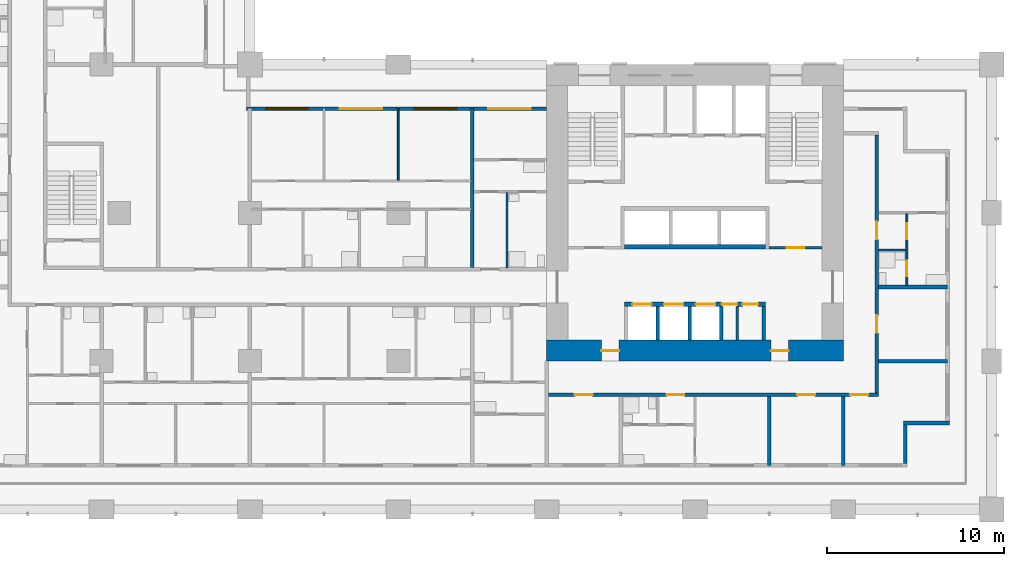
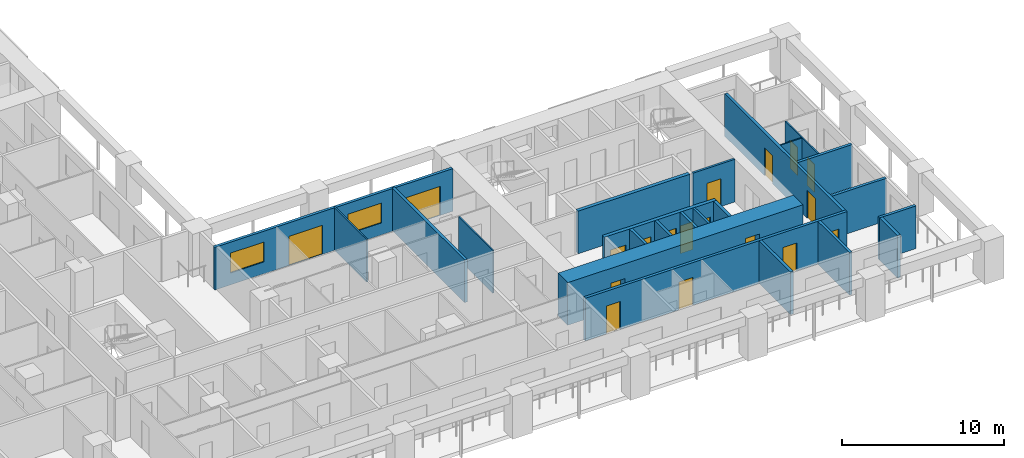
# One storey, part 6 of 19: 23 walls, 18 doors, 2 windows, 20 openings.
"""IFC4 building model written with IfcOpenShell, lengths in metres."""

from ifc_helpers import new_model, si_unit, direction, frame, frame_2d, origin, place, context, subcontext, project, spatial, rectangle, extrude, material, layer, layer_set, type_object, element, fill, save


model = new_model("IFC4")

# Units and contexts
model_context = context("Model", 3, precision=1e-05, world=origin(), true_north=direction((0.0, 1.0)))
body_context = subcontext(model_context, "Body", "Model", "MODEL_VIEW")
ifc_project = project(units=[si_unit("LENGTHUNIT", "METRE"), si_unit("AREAUNIT", "SQUARE_METRE"), si_unit("VOLUMEUNIT", "CUBIC_METRE"), si_unit("PLANEANGLEUNIT", "RADIAN"), si_unit("MASSUNIT", "GRAM", prefix="KILO")], contexts=[model_context])

# Site, building, storey
site_placement = place(None, origin())
site = spatial("IfcSite", under=ifc_project, at=site_placement, CompositionType="ELEMENT")
building_placement = place(site_placement, origin())
building = spatial("IfcBuilding", under=site, at=building_placement, Name="Vermilion Gate Residences", CompositionType="ELEMENT")
storey_placement = place(building_placement, frame((0.0, 0.0, 53.199951171875)))
storey = spatial("IfcBuildingStorey", under=building, at=storey_placement, Name="L12", CompositionType="ELEMENT", Elevation=53.199951171875)

# Wall
ifc_material_1 = material(Name="Masonry blockwork", Category="masonry")
ifc_layer_1 = layer(ifc_material_1, 0.14990234375)
ifc_layer_set_1 = layer_set([ifc_layer_1], Name="BLOCKWORK PARTITION 150 EI 120")
wall_type_1 = type_object("IfcWallType", Name="BLOCKWORK PARTITION 150 EI 120", PredefinedType="PARTITIONING", material=ifc_layer_set_1)
wall_1_placement = place(storey_placement, frame((52.79248046875, 9.60009765625, 0.0), z_axis=(0.0, 0.0, 1.0), x_axis=(0.0, 1.0, 0.0)))
element("IfcWall", 1, at=wall_1_placement, inside=storey, type_object=wall_type_1, Name="Core room partition A12-SR-P0", PredefinedType="PARTITIONING", context=body_context, shape_type="SweptSolid", body=[
    extrude(rectangle(XDim=1.89990234375, YDim=0.14990234375, at=frame_2d((0.949951171875, 0.0))), origin(), (0.0, 0.0, 1.0), 3.219970703125),
])

# Wall, opening, door
wall_2_placement = place(storey_placement, frame((54.60009765625, 14.824951171875, 0.0), z_axis=(0.0, 0.0, 1.0), x_axis=(1.0, 0.0, 0.0)))
wall_2 = element("IfcWall", 2, at=wall_2_placement, inside=storey, type_object=wall_type_1, Name="Core room partition A12-VE-S", PredefinedType="PARTITIONING", context=body_context, shape_type="SweptSolid", body=[
    extrude(rectangle(XDim=3.0, YDim=0.14990234375, at=frame_2d((1.5, 0.0))), origin(), (0.0, 0.0, 1.0), 3.219970703125),
])
opening_1_placement = place(wall_2_placement, frame((1.0, 0.0, 0.0)))
opening_1 = element("IfcOpeningElement", 3, at=opening_1_placement, cuts=wall_2, Name="Opening DK12016", PredefinedType="OPENING", context=body_context, shape_type="SweptSolid", body=[
    extrude(rectangle(XDim=1.0, YDim=2.10009765625, at=frame_2d((0.5, 1.050048828125))), frame((0.0, 0.0849609375, 0.0), z_axis=(0.0, -1.0, 0.0), x_axis=(1.0, 0.0, 0.0)), (0.0, 0.0, 1.0), 0.169921875),
])
ifc_material_2 = material(Name="Steel", Category="steel")
door_type_1 = type_object("IfcDoorType", Name="FIRE DOOR FD60 1000 X 2100", OperationType="SINGLE_SWING_LEFT", PredefinedType="DOOR", material=ifc_material_2)
door_1_placement = place(opening_1_placement, frame((1.0, 0.0, 0.0), z_axis=(0.0, 0.0, 1.0), x_axis=(-1.0, 0.0, 0.0)))
door_1 = element("IfcDoor", 4, at=door_1_placement, inside=storey, type_object=door_type_1, Name="Stair vestibule door A12", OperationType="SINGLE_SWING_LEFT", OverallHeight=2.10009765625, OverallWidth=1.0, PredefinedType="DOOR", context=body_context, shape_type="SweptSolid", body=[
    extrude(rectangle(XDim=1.0, YDim=2.10009765625, at=frame_2d((0.5, 1.050048828125))), frame((0.0, 0.02490234375, 0.0), z_axis=(0.0, -1.0, 0.0), x_axis=(1.0, 0.0, 0.0)), (0.0, 0.0, 1.0), 0.050048828125),
])
fill(opening_1, door_1)

# Walls
ifc_material_3 = material(Name="Insulated steel stud wall with terracotta rainscreen", Category="masonry")
ifc_layer_2 = layer(ifc_material_3, 0.199951171875)
ifc_layer_set_2 = layer_set([ifc_layer_2], Name="EXTERNAL WALL 200 TERRACOTTA RAINSCREEN")
wall_type_2 = type_object("IfcWallType", Name="EXTERNAL WALL 200 TERRACOTTA RAINSCREEN", PredefinedType="SOLIDWALL", material=ifc_layer_set_2)
wall_3_placement = place(storey_placement, frame((62.300048828125, 2.60009765625, 0.0), z_axis=(0.0, 0.0, 1.0), x_axis=(0.0, 1.0, 0.0)))
element("IfcWall", 5, at=wall_3_placement, inside=storey, type_object=wall_type_2, Name="External wall", PredefinedType="SOLIDWALL", context=body_context, shape_type="SweptSolid", body=[
    extrude(rectangle(XDim=2.199951171875, YDim=0.199951171875, at=frame_2d((1.10009765625, 0.0))), origin(), (0.0, 0.0, 1.0), 3.219970703125),
])
wall_4_placement = place(storey_placement, frame((62.199951171875, 4.89990234375, 0.0), z_axis=(0.0, 0.0, 1.0), x_axis=(1.0, 0.0, 0.0)))
element("IfcWall", 6, at=wall_4_placement, inside=storey, type_object=wall_type_2, Name="External wall", PredefinedType="SOLIDWALL", context=body_context, shape_type="SweptSolid", body=[
    extrude(rectangle(XDim=2.60009765625, YDim=0.199951171875, at=frame_2d((1.300048828125, 0.0))), origin(), (0.0, 0.0, 1.0), 3.219970703125),
])

# Wall, openings, doors, windows
wall_5_placement = place(storey_placement, frame((42.0, 22.699951171875, 0.0), z_axis=(0.0, 0.0, 1.0), x_axis=(-1.0, 0.0, 0.0)))
wall_5 = element("IfcWall", 7, at=wall_5_placement, inside=storey, type_object=wall_type_2, Name="External wall", PredefinedType="SOLIDWALL", context=body_context, shape_type="SweptSolid", body=[
    extrude(rectangle(XDim=17.0, YDim=0.199951171875, at=frame_2d((8.5, 0.0))), origin(), (0.0, 0.0, 1.0), 3.219970703125),
])
opening_2_placement = place(wall_5_placement, frame((13.5, 0.0, 0.89990234375)))
opening_2 = element("IfcOpeningElement", 8, at=opening_2_placement, cuts=wall_5, Name="Opening WE12033", PredefinedType="OPENING", context=body_context, shape_type="SweptSolid", body=[
    extrude(rectangle(XDim=2.39990234375, YDim=1.5, at=frame_2d((1.199951171875, 0.75))), frame((0.0, 0.10986328125, 0.0), z_axis=(0.0, -1.0, 0.0), x_axis=(1.0, 0.0, 0.0)), (0.0, 0.0, 1.0), 0.219970703125),
])
opening_3_placement = place(wall_5_placement, frame((9.300048828125, 0.0, 0.0)))
opening_3 = element("IfcOpeningElement", 9, at=opening_3_placement, cuts=wall_5, Name="Opening DE12034", PredefinedType="OPENING", context=body_context, shape_type="SweptSolid", body=[
    extrude(rectangle(XDim=2.39990234375, YDim=2.199951171875, at=frame_2d((1.199951171875, 1.10009765625))), frame((0.0, 0.10986328125, 0.0), z_axis=(0.0, -1.0, 0.0), x_axis=(1.0, 0.0, 0.0)), (0.0, 0.0, 1.0), 0.219970703125),
])
opening_4_placement = place(wall_5_placement, frame((5.10009765625, 0.0, 0.89990234375)))
opening_4 = element("IfcOpeningElement", 10, at=opening_4_placement, cuts=wall_5, Name="Opening WE12035", PredefinedType="OPENING", context=body_context, shape_type="SweptSolid", body=[
    extrude(rectangle(XDim=2.39990234375, YDim=1.5, at=frame_2d((1.199951171875, 0.75))), frame((0.0, 0.10986328125, 0.0), z_axis=(0.0, -1.0, 0.0), x_axis=(1.0, 0.0, 0.0)), (0.0, 0.0, 1.0), 0.219970703125),
])
opening_5_placement = place(wall_5_placement, frame((0.89990234375, 0.0, 0.0)))
opening_5 = element("IfcOpeningElement", 11, at=opening_5_placement, cuts=wall_5, Name="Opening DE12036", PredefinedType="OPENING", context=body_context, shape_type="SweptSolid", body=[
    extrude(rectangle(XDim=2.39990234375, YDim=2.199951171875, at=frame_2d((1.199951171875, 1.10009765625))), frame((0.0, 0.10986328125, 0.0), z_axis=(0.0, -1.0, 0.0), x_axis=(1.0, 0.0, 0.0)), (0.0, 0.0, 1.0), 0.219970703125),
])
ifc_material_4 = material(Name="Aluminium and clear glass", Category="aluminium")
door_type_2 = type_object("IfcDoorType", Name="SLIDING GLAZED DOOR 2400 X 2200", OperationType="DOUBLE_DOOR_SLIDING", PredefinedType="DOOR", material=ifc_material_4)
door_2_placement = place(opening_3_placement, origin())
door_2 = element("IfcDoor", 12, at=door_2_placement, inside=storey, type_object=door_type_2, Name="Loggia sliding door", OperationType="DOUBLE_DOOR_SLIDING", OverallHeight=2.199951171875, OverallWidth=2.39990234375, PredefinedType="DOOR", context=body_context, shape_type="SweptSolid", body=[
    extrude(rectangle(XDim=2.39990234375, YDim=2.199951171875, at=frame_2d((1.199951171875, 1.10009765625))), frame((0.0, 0.02490234375, 0.0), z_axis=(0.0, -1.0, 0.0), x_axis=(1.0, 0.0, 0.0)), (0.0, 0.0, 1.0), 0.050048828125),
])
fill(opening_3, door_2)
door_3_placement = place(opening_5_placement, origin())
door_3 = element("IfcDoor", 13, at=door_3_placement, inside=storey, type_object=door_type_2, Name="Loggia sliding door", OperationType="DOUBLE_DOOR_SLIDING", OverallHeight=2.199951171875, OverallWidth=2.39990234375, PredefinedType="DOOR", context=body_context, shape_type="SweptSolid", body=[
    extrude(rectangle(XDim=2.39990234375, YDim=2.199951171875, at=frame_2d((1.199951171875, 1.10009765625))), frame((0.0, 0.02490234375, 0.0), z_axis=(0.0, -1.0, 0.0), x_axis=(1.0, 0.0, 0.0)), (0.0, 0.0, 1.0), 0.050048828125),
])
fill(opening_5, door_3)
ifc_material_5 = material(Name="Aluminium and clear glass", Category="aluminium")
window_type = type_object("IfcWindowType", Name="WINDOW 2400 X 1500", PartitioningType="SINGLE_PANEL", PredefinedType="WINDOW", material=ifc_material_5)
window_1_placement = place(opening_2_placement, origin())
window_1 = element("IfcWindow", 14, at=window_1_placement, inside=storey, type_object=window_type, Name="Window", OverallHeight=1.5, OverallWidth=2.39990234375, PartitioningType="SINGLE_PANEL", PredefinedType="WINDOW", context=body_context, shape_type="SweptSolid", body=[
    extrude(rectangle(XDim=2.39990234375, YDim=1.5, at=frame_2d((1.199951171875, 0.75))), frame((0.0, 0.030029296875, 0.0), z_axis=(0.0, -1.0, 0.0), x_axis=(1.0, 0.0, 0.0)), (0.0, 0.0, 1.0), 0.06005859375),
])
fill(opening_2, window_1)
window_2_placement = place(opening_4_placement, origin())
window_2 = element("IfcWindow", 15, at=window_2_placement, inside=storey, type_object=window_type, Name="Window", OverallHeight=1.5, OverallWidth=2.39990234375, PartitioningType="SINGLE_PANEL", PredefinedType="WINDOW", context=body_context, shape_type="SweptSolid", body=[
    extrude(rectangle(XDim=2.39990234375, YDim=1.5, at=frame_2d((1.199951171875, 0.75))), frame((0.0, 0.030029296875, 0.0), z_axis=(0.0, -1.0, 0.0), x_axis=(1.0, 0.0, 0.0)), (0.0, 0.0, 1.0), 0.06005859375),
])
fill(opening_4, window_2)

# Walls
ifc_material_6 = material(Name="Plasterboard on steel studs", Category="steel")
ifc_layer_3 = layer(ifc_material_6, 0.10009765625)
ifc_layer_set_3 = layer_set([ifc_layer_3], Name="PARTITION 100")
wall_type_3 = type_object("IfcWallType", Name="PARTITION 100", PredefinedType="PARTITIONING", material=ifc_layer_set_3)
wall_6_placement = place(storey_placement, frame((60.800048828125, 14.699951171875, 0.0), z_axis=(0.0, 0.0, 1.0), x_axis=(1.0, 0.0, 0.0)))
element("IfcWall", 16, at=wall_6_placement, inside=storey, type_object=wall_type_3, Name="Partition", PredefinedType="PARTITIONING", context=body_context, shape_type="SweptSolid", body=[
    extrude(rectangle(XDim=1.550048828125, YDim=0.10009765625, at=frame_2d((0.77490234375, 0.0))), origin(), (0.0, 0.0, 1.0), 3.219970703125),
])
wall_7_placement = place(storey_placement, frame((33.60009765625, 18.64990234375, 0.0), z_axis=(0.0, 0.0, 1.0), x_axis=(0.0, 1.0, 0.0)))
element("IfcWall", 17, at=wall_7_placement, inside=storey, type_object=wall_type_3, Name="Partition", PredefinedType="PARTITIONING", context=body_context, shape_type="SweptSolid", body=[
    extrude(rectangle(XDim=4.050048828125, YDim=0.10009765625, at=frame_2d((2.02490234375, 0.0))), origin(), (0.0, 0.0, 1.0), 3.219970703125),
])
wall_8_placement = place(storey_placement, frame((39.760009765625, 13.699951171875, 0.0), z_axis=(0.0, 0.0, 1.0), x_axis=(0.0, 1.0, 0.0)))
element("IfcWall", 18, at=wall_8_placement, inside=storey, type_object=wall_type_3, Name="Partition", PredefinedType="PARTITIONING", context=body_context, shape_type="SweptSolid", body=[
    extrude(rectangle(XDim=4.25, YDim=0.10009765625, at=frame_2d((2.125, 0.0))), origin(), (0.0, 0.0, 1.0), 3.219970703125),
])

# Wall, openings, doors
wall_9_placement = place(storey_placement, frame((62.39990234375, 12.699951171875, 0.0), z_axis=(0.0, 0.0, 1.0), x_axis=(0.0, 1.0, 0.0)))
wall_9 = element("IfcWall", 19, at=wall_9_placement, inside=storey, type_object=wall_type_3, Name="Partition", PredefinedType="PARTITIONING", context=body_context, shape_type="SweptSolid", body=[
    extrude(rectangle(XDim=4.050048828125, YDim=0.10009765625, at=frame_2d((2.02490234375, 0.0))), origin(), (0.0, 0.0, 1.0), 3.219970703125),
])
opening_6_placement = place(wall_9_placement, frame((2.60009765625, 0.0, 0.0)))
opening_6 = element("IfcOpeningElement", 20, at=opening_6_placement, cuts=wall_9, Name="Opening DA10083", PredefinedType="OPENING", context=body_context, shape_type="SweptSolid", body=[
    extrude(rectangle(XDim=0.89990234375, YDim=2.10009765625, at=frame_2d((0.449951171875, 1.050048828125))), frame((0.0, 0.06005859375, 0.0), z_axis=(0.0, -1.0, 0.0), x_axis=(1.0, 0.0, 0.0)), (0.0, 0.0, 1.0), 0.1201171875),
])
opening_7_placement = place(wall_9_placement, frame((0.5, 0.0, 0.0)))
opening_7 = element("IfcOpeningElement", 21, at=opening_7_placement, cuts=wall_9, Name="Opening DA10084", PredefinedType="OPENING", context=body_context, shape_type="SweptSolid", body=[
    extrude(rectangle(XDim=0.89990234375, YDim=2.10009765625, at=frame_2d((0.449951171875, 1.050048828125))), frame((0.0, 0.06005859375, 0.0), z_axis=(0.0, -1.0, 0.0), x_axis=(1.0, 0.0, 0.0)), (0.0, 0.0, 1.0), 0.1201171875),
])
ifc_material_7 = material(Name="Timber", Category="wood")
door_type_3 = type_object("IfcDoorType", Name="INTERIOR DOOR 900 X 2100", OperationType="SINGLE_SWING_LEFT", PredefinedType="DOOR", material=ifc_material_7)
door_4_placement = place(opening_6_placement, frame((0.89990234375, 0.0, 0.0), z_axis=(0.0, 0.0, 1.0), x_axis=(-1.0, 0.0, 0.0)))
door_4 = element("IfcDoor", 22, at=door_4_placement, inside=storey, type_object=door_type_3, Name="Interior door", OperationType="SINGLE_SWING_LEFT", OverallHeight=2.10009765625, OverallWidth=0.89990234375, PredefinedType="DOOR", context=body_context, shape_type="SweptSolid", body=[
    extrude(rectangle(XDim=0.89990234375, YDim=2.10009765625, at=frame_2d((0.449951171875, 1.050048828125))), frame((0.0, 0.02490234375, 0.0), z_axis=(0.0, -1.0, 0.0), x_axis=(1.0, 0.0, 0.0)), (0.0, 0.0, 1.0), 0.050048828125),
])
fill(opening_6, door_4)
door_5_placement = place(opening_7_placement, origin())
door_5 = element("IfcDoor", 23, at=door_5_placement, inside=storey, type_object=door_type_3, Name="Interior door", OperationType="SINGLE_SWING_RIGHT", OverallHeight=2.10009765625, OverallWidth=0.89990234375, PredefinedType="DOOR", context=body_context, shape_type="SweptSolid", body=[
    extrude(rectangle(XDim=0.89990234375, YDim=2.10009765625, at=frame_2d((0.449951171875, 1.050048828125))), frame((0.0, 0.02490234375, 0.0), z_axis=(0.0, -1.0, 0.0), x_axis=(1.0, 0.0, 0.0)), (0.0, 0.0, 1.0), 0.050048828125),
])
fill(opening_7, door_5)

ifc_material_8 = material(Name="Fire-rated plasterboard on steel studs", Category="steel")
ifc_layer_4 = layer(ifc_material_8, 0.199951171875)
ifc_layer_set_4 = layer_set([ifc_layer_4], Name="PARTY WALL 200 EI 120")
wall_type_4 = type_object("IfcWallType", Name="PARTY WALL 200 EI 120", PredefinedType="PARTITIONING", material=ifc_layer_set_4)
wall_10_placement = place(storey_placement, frame((42.10009765625, 6.5, 0.0), z_axis=(0.0, 0.0, 1.0), x_axis=(1.0, 0.0, 0.0)))
wall_10 = element("IfcWall", 24, at=wall_10_placement, inside=storey, type_object=wall_type_4, Name="Party and corridor wall", PredefinedType="PARTITIONING", context=body_context, shape_type="SweptSolid", body=[
    extrude(rectangle(XDim=18.699951171875, YDim=0.199951171875, at=frame_2d((9.35009765625, 0.0))), origin(), (0.0, 0.0, 1.0), 3.219970703125),
])
opening_8_placement = place(wall_10_placement, frame((1.5, 0.0, 0.0)))
opening_8 = element("IfcOpeningElement", 25, at=opening_8_placement, cuts=wall_10, Name="Opening DA10009", PredefinedType="OPENING", context=body_context, shape_type="SweptSolid", body=[
    extrude(rectangle(XDim=1.0, YDim=2.10009765625, at=frame_2d((0.5, 1.050048828125))), frame((0.0, 0.10986328125, 0.0), z_axis=(0.0, -1.0, 0.0), x_axis=(1.0, 0.0, 0.0)), (0.0, 0.0, 1.0), 0.219970703125),
])
opening_9_placement = place(wall_10_placement, frame((6.699951171875, 0.0, 0.0)))
opening_9 = element("IfcOpeningElement", 26, at=opening_9_placement, cuts=wall_10, Name="Opening DA10010", PredefinedType="OPENING", context=body_context, shape_type="SweptSolid", body=[
    extrude(rectangle(XDim=1.0, YDim=2.10009765625, at=frame_2d((0.5, 1.050048828125))), frame((0.0, 0.10986328125, 0.0), z_axis=(0.0, -1.0, 0.0), x_axis=(1.0, 0.0, 0.0)), (0.0, 0.0, 1.0), 0.219970703125),
])
opening_10_placement = place(wall_10_placement, frame((14.10009765625, 0.0, 0.0)))
opening_10 = element("IfcOpeningElement", 27, at=opening_10_placement, cuts=wall_10, Name="Opening DA10011", PredefinedType="OPENING", context=body_context, shape_type="SweptSolid", body=[
    extrude(rectangle(XDim=1.0, YDim=2.10009765625, at=frame_2d((0.5, 1.050048828125))), frame((0.0, 0.10986328125, 0.0), z_axis=(0.0, -1.0, 0.0), x_axis=(1.0, 0.0, 0.0)), (0.0, 0.0, 1.0), 0.219970703125),
])
opening_11_placement = place(wall_10_placement, frame((17.10009765625, 0.0, 0.0)))
opening_11 = element("IfcOpeningElement", 28, at=opening_11_placement, cuts=wall_10, Name="Opening DA10012", PredefinedType="OPENING", context=body_context, shape_type="SweptSolid", body=[
    extrude(rectangle(XDim=1.0, YDim=2.10009765625, at=frame_2d((0.5, 1.050048828125))), frame((0.0, 0.10986328125, 0.0), z_axis=(0.0, -1.0, 0.0), x_axis=(1.0, 0.0, 0.0)), (0.0, 0.0, 1.0), 0.219970703125),
])
ifc_material_9 = material(Name="Steel", Category="steel")
door_type_4 = type_object("IfcDoorType", Name="ENTRANCE DOOR 1000 X 2100 FD30", OperationType="SINGLE_SWING_LEFT", PredefinedType="DOOR", material=ifc_material_9)
door_6_placement = place(opening_8_placement, frame((1.0, 0.0, 0.0), z_axis=(0.0, 0.0, 1.0), x_axis=(-1.0, 0.0, 0.0)))
door_6 = element("IfcDoor", 29, at=door_6_placement, inside=storey, type_object=door_type_4, Name="Entrance door", OperationType="SINGLE_SWING_RIGHT", OverallHeight=2.10009765625, OverallWidth=1.0, PredefinedType="DOOR", context=body_context, shape_type="SweptSolid", body=[
    extrude(rectangle(XDim=1.0, YDim=2.10009765625, at=frame_2d((0.5, 1.050048828125))), frame((0.0, 0.02490234375, 0.0), z_axis=(0.0, -1.0, 0.0), x_axis=(1.0, 0.0, 0.0)), (0.0, 0.0, 1.0), 0.050048828125),
])
fill(opening_8, door_6)
door_7_placement = place(opening_9_placement, frame((1.0, 0.0, 0.0), z_axis=(0.0, 0.0, 1.0), x_axis=(-1.0, 0.0, 0.0)))
door_7 = element("IfcDoor", 30, at=door_7_placement, inside=storey, type_object=door_type_4, Name="Entrance door", OperationType="SINGLE_SWING_RIGHT", OverallHeight=2.10009765625, OverallWidth=1.0, PredefinedType="DOOR", context=body_context, shape_type="SweptSolid", body=[
    extrude(rectangle(XDim=1.0, YDim=2.10009765625, at=frame_2d((0.5, 1.050048828125))), frame((0.0, 0.02490234375, 0.0), z_axis=(0.0, -1.0, 0.0), x_axis=(1.0, 0.0, 0.0)), (0.0, 0.0, 1.0), 0.050048828125),
])
fill(opening_9, door_7)
door_8_placement = place(opening_10_placement, frame((1.0, 0.0, 0.0), z_axis=(0.0, 0.0, 1.0), x_axis=(-1.0, 0.0, 0.0)))
door_8 = element("IfcDoor", 31, at=door_8_placement, inside=storey, type_object=door_type_4, Name="Entrance door", OperationType="SINGLE_SWING_LEFT", OverallHeight=2.10009765625, OverallWidth=1.0, PredefinedType="DOOR", context=body_context, shape_type="SweptSolid", body=[
    extrude(rectangle(XDim=1.0, YDim=2.10009765625, at=frame_2d((0.5, 1.050048828125))), frame((0.0, 0.02490234375, 0.0), z_axis=(0.0, -1.0, 0.0), x_axis=(1.0, 0.0, 0.0)), (0.0, 0.0, 1.0), 0.050048828125),
])
fill(opening_10, door_8)
door_9_placement = place(opening_11_placement, frame((1.0, 0.0, 0.0), z_axis=(0.0, 0.0, 1.0), x_axis=(-1.0, 0.0, 0.0)))
door_9 = element("IfcDoor", 32, at=door_9_placement, inside=storey, type_object=door_type_4, Name="Entrance door", OperationType="SINGLE_SWING_RIGHT", OverallHeight=2.10009765625, OverallWidth=1.0, PredefinedType="DOOR", context=body_context, shape_type="SweptSolid", body=[
    extrude(rectangle(XDim=1.0, YDim=2.10009765625, at=frame_2d((0.5, 1.050048828125))), frame((0.0, 0.02490234375, 0.0), z_axis=(0.0, -1.0, 0.0), x_axis=(1.0, 0.0, 0.0)), (0.0, 0.0, 1.0), 0.050048828125),
])
fill(opening_11, door_9)

# Walls
for number, where, z_axis, x_axis, name in (
    (33, (60.800048828125, 8.39990234375, 0.0), (0.0, 0.0, 1.0), (1.0, 0.0, 0.0), "Party and corridor wall"),
    (34, (60.800048828125, 12.60009765625, 0.0), (0.0, 0.0, 1.0), (1.0, 0.0, 0.0), "Party and corridor wall"),
):
    element("IfcWall", number, at=place(storey_placement, frame(where, z_axis=z_axis, x_axis=x_axis)), inside=storey, type_object=wall_type_4, Name=name, PredefinedType="PARTITIONING", context=body_context, shape_type="SweptSolid", body=[
        extrude(rectangle(XDim=3.89990234375, YDim=0.199951171875, at=frame_2d((1.949951171875, 0.0))), origin(), (0.0, 0.0, 1.0), 3.219970703125),
    ])
wall_11_placement = place(storey_placement, frame((37.800048828125, 13.699951171875, 0.0), z_axis=(0.0, 0.0, 1.0), x_axis=(0.0, 1.0, 0.0)))
element("IfcWall", 35, at=wall_11_placement, inside=storey, type_object=wall_type_4, Name="Party and corridor wall", PredefinedType="PARTITIONING", context=body_context, shape_type="SweptSolid", body=[
    extrude(rectangle(XDim=9.0, YDim=0.199951171875, at=frame_2d((4.5, 0.0))), origin(), (0.0, 0.0, 1.0), 3.219970703125),
])
for number, where, z_axis, x_axis, name in (
    (36, (54.60009765625, 2.5, 0.0), (0.0, 0.0, 1.0), (0.0, 1.0, 0.0), "Party and corridor wall"),
    (37, (58.800048828125, 2.5, 0.0), (0.0, 0.0, 1.0), (0.0, 1.0, 0.0), "Party and corridor wall"),
):
    element("IfcWall", number, at=place(storey_placement, frame(where, z_axis=z_axis, x_axis=x_axis)), inside=storey, type_object=wall_type_4, Name=name, PredefinedType="PARTITIONING", context=body_context, shape_type="SweptSolid", body=[
        extrude(rectangle(XDim=3.89990234375, YDim=0.199951171875, at=frame_2d((1.949951171875, 0.0))), origin(), (0.0, 0.0, 1.0), 3.219970703125),
    ])

# Wall, openings, doors
wall_12_placement = place(storey_placement, frame((60.699951171875, 6.60009765625, 0.0), z_axis=(0.0, 0.0, 1.0), x_axis=(0.0, 1.0, 0.0)))
wall_12 = element("IfcWall", 38, at=wall_12_placement, inside=storey, type_object=wall_type_4, Name="Party and corridor wall", PredefinedType="PARTITIONING", context=body_context, shape_type="SweptSolid", body=[
    extrude(rectangle(XDim=14.599853515625, YDim=0.199951171875, at=frame_2d((7.2998046875, 0.0))), origin(), (0.0, 0.0, 1.0), 3.219970703125),
])
opening_12_placement = place(wall_12_placement, frame((3.39990234375, 0.0, 0.0)))
opening_12 = element("IfcOpeningElement", 39, at=opening_12_placement, cuts=wall_12, Name="Opening DA10081", PredefinedType="OPENING", context=body_context, shape_type="SweptSolid", body=[
    extrude(rectangle(XDim=1.0, YDim=2.10009765625, at=frame_2d((0.5, 1.050048828125))), frame((0.0, 0.10986328125, 0.0), z_axis=(0.0, -1.0, 0.0), x_axis=(1.0, 0.0, 0.0)), (0.0, 0.0, 1.0), 0.219970703125),
])
opening_13_placement = place(wall_12_placement, frame((8.699951171875, 0.0, 0.0)))
opening_13 = element("IfcOpeningElement", 40, at=opening_13_placement, cuts=wall_12, Name="Opening DA10082", PredefinedType="OPENING", context=body_context, shape_type="SweptSolid", body=[
    extrude(rectangle(XDim=1.0, YDim=2.10009765625, at=frame_2d((0.5, 1.050048828125))), frame((0.0, 0.10986328125, 0.0), z_axis=(0.0, -1.0, 0.0), x_axis=(1.0, 0.0, 0.0)), (0.0, 0.0, 1.0), 0.219970703125),
])
door_10_placement = place(opening_12_placement, frame((1.0, 0.0, 0.0), z_axis=(0.0, 0.0, 1.0), x_axis=(-1.0, 0.0, 0.0)))
door_10 = element("IfcDoor", 41, at=door_10_placement, inside=storey, type_object=door_type_4, Name="Entrance door", OperationType="SINGLE_SWING_RIGHT", OverallHeight=2.10009765625, OverallWidth=1.0, PredefinedType="DOOR", context=body_context, shape_type="SweptSolid", body=[
    extrude(rectangle(XDim=1.0, YDim=2.10009765625, at=frame_2d((0.5, 1.050048828125))), frame((0.0, 0.02490234375, 0.0), z_axis=(0.0, -1.0, 0.0), x_axis=(1.0, 0.0, 0.0)), (0.0, 0.0, 1.0), 0.050048828125),
])
fill(opening_12, door_10)
door_11_placement = place(opening_13_placement, frame((1.0, 0.0, 0.0), z_axis=(0.0, 0.0, 1.0), x_axis=(-1.0, 0.0, 0.0)))
door_11 = element("IfcDoor", 42, at=door_11_placement, inside=storey, type_object=door_type_4, Name="Entrance door", OperationType="SINGLE_SWING_LEFT", OverallHeight=2.10009765625, OverallWidth=1.0, PredefinedType="DOOR", context=body_context, shape_type="SweptSolid", body=[
    extrude(rectangle(XDim=1.0, YDim=2.10009765625, at=frame_2d((0.5, 1.050048828125))), frame((0.0, 0.02490234375, 0.0), z_axis=(0.0, -1.0, 0.0), x_axis=(1.0, 0.0, 0.0)), (0.0, 0.0, 1.0), 0.050048828125),
])
fill(opening_13, door_11)

# Walls
ifc_material_10 = material(Name="Concrete C60", Category="concrete")
ifc_layer_5 = layer(ifc_material_10, 0.199951171875)
ifc_layer_set_5 = layer_set([ifc_layer_5], Name="RC CORE INTERNAL WALL 200 C60")
wall_type_5 = type_object("IfcWallType", Name="RC CORE INTERNAL WALL 200 C60", PredefinedType="SHEAR", material=ifc_layer_set_5)
for number, where, z_axis, x_axis, name in (
    (43, (48.300048828125, 9.60009765625, 0.0), (0.0, 0.0, 1.0), (0.0, 1.0, 0.0), "Core internal wall A12-LR-D1"),
    (44, (50.10009765625, 9.60009765625, 0.0), (0.0, 0.0, 1.0), (0.0, 1.0, 0.0), "Core internal wall A12-LR-D2"),
    (45, (51.89990234375, 9.60009765625, 0.0), (0.0, 0.0, 1.0), (0.0, 1.0, 0.0), "Core internal wall A12-LR-D3"),
    (46, (54.300048828125, 9.60009765625, 0.0), (0.0, 0.0, 1.0), (0.0, 1.0, 0.0), "Core internal wall A12-LR-DE"),
):
    element("IfcWall", number, at=place(storey_placement, frame(where, z_axis=z_axis, x_axis=x_axis)), inside=storey, type_object=wall_type_5, Name=name, PredefinedType="SHEAR", context=body_context, shape_type="SweptSolid", body=[
        extrude(rectangle(XDim=1.89990234375, YDim=0.199951171875, at=frame_2d((0.949951171875, 0.0))), origin(), (0.0, 0.0, 1.0), 3.219970703125),
    ])

# Wall, openings, doors
ifc_material_11 = material(Name="Concrete C80", Category="concrete")
ifc_layer_6 = layer(ifc_material_11, 1.199951171875)
ifc_layer_set_6 = layer_set([ifc_layer_6], Name="RC CORE WALL 1200 C80")
wall_type_6 = type_object("IfcWallType", Name="RC CORE WALL 1200 C80", PredefinedType="SHEAR", material=ifc_layer_set_6)
wall_13_placement = place(storey_placement, frame((42.0, 9.0, 0.0), z_axis=(0.0, 0.0, 1.0), x_axis=(1.0, 0.0, 0.0)))
wall_13 = element("IfcWall", 47, at=wall_13_placement, inside=storey, type_object=wall_type_6, Name="Core wall A12-OUT-B0", PredefinedType="SHEAR", context=body_context, shape_type="SweptSolid", body=[
    extrude(rectangle(XDim=16.800048828125, YDim=1.199951171875, at=frame_2d((8.39990234375, 0.0))), origin(), (0.0, 0.0, 1.0), 3.219970703125),
])
opening_14_placement = place(wall_13_placement, frame((3.10009765625, 0.0, 0.0)))
opening_14 = element("IfcOpeningElement", 48, at=opening_14_placement, cuts=wall_13, Name="Opening DK12001", PredefinedType="OPENING", context=body_context, shape_type="SweptSolid", body=[
    extrude(rectangle(XDim=1.0, YDim=2.10009765625, at=frame_2d((0.5, 1.050048828125))), frame((0.0, 0.60986328125, 0.0), z_axis=(0.0, -1.0, 0.0), x_axis=(1.0, 0.0, 0.0)), (0.0, 0.0, 1.0), 1.219970703125),
])
opening_15_placement = place(wall_13_placement, frame((12.699951171875, 0.0, 0.0)))
opening_15 = element("IfcOpeningElement", 49, at=opening_15_placement, cuts=wall_13, Name="Opening DK12002", PredefinedType="OPENING", context=body_context, shape_type="SweptSolid", body=[
    extrude(rectangle(XDim=1.0, YDim=2.10009765625, at=frame_2d((0.5, 1.050048828125))), frame((0.0, 0.60986328125, 0.0), z_axis=(0.0, -1.0, 0.0), x_axis=(1.0, 0.0, 0.0)), (0.0, 0.0, 1.0), 1.219970703125),
])
door_12_placement = place(opening_14_placement, origin())
door_12 = element("IfcDoor", 50, at=door_12_placement, inside=storey, type_object=door_type_1, Name="Core lobby side door A12", OperationType="SINGLE_SWING_RIGHT", OverallHeight=2.10009765625, OverallWidth=1.0, PredefinedType="DOOR", context=body_context, shape_type="SweptSolid", body=[
    extrude(rectangle(XDim=1.0, YDim=2.10009765625, at=frame_2d((0.5, 1.050048828125))), frame((0.0, 0.02490234375, 0.0), z_axis=(0.0, -1.0, 0.0), x_axis=(1.0, 0.0, 0.0)), (0.0, 0.0, 1.0), 0.050048828125),
])
fill(opening_14, door_12)
door_13_placement = place(opening_15_placement, origin())
door_13 = element("IfcDoor", 51, at=door_13_placement, inside=storey, type_object=door_type_1, Name="Core lobby side door A12", OperationType="SINGLE_SWING_LEFT", OverallHeight=2.10009765625, OverallWidth=1.0, PredefinedType="DOOR", context=body_context, shape_type="SweptSolid", body=[
    extrude(rectangle(XDim=1.0, YDim=2.10009765625, at=frame_2d((0.5, 1.050048828125))), frame((0.0, 0.02490234375, 0.0), z_axis=(0.0, -1.0, 0.0), x_axis=(1.0, 0.0, 0.0)), (0.0, 0.0, 1.0), 0.050048828125),
])
fill(opening_15, door_13)

ifc_material_12 = material(Name="Concrete C60", Category="concrete")
ifc_layer_7 = layer(ifc_material_12, 0.25)
ifc_layer_set_7 = layer_set([ifc_layer_7], Name="RC LIFT SHAFT WALL 250 C60")
wall_type_7 = type_object("IfcWallType", Name="RC LIFT SHAFT WALL 250 C60", PredefinedType="SHEAR", material=ifc_layer_set_7)
wall_14_placement = place(storey_placement, frame((46.39990234375, 11.625, 0.0), z_axis=(0.0, 0.0, 1.0), x_axis=(1.0, 0.0, 0.0)))
wall_14 = element("IfcWall", 52, at=wall_14_placement, inside=storey, type_object=wall_type_7, Name="Lift shaft wall A12-LR-F", PredefinedType="SHEAR", context=body_context, shape_type="SweptSolid", body=[
    extrude(rectangle(XDim=8.0, YDim=0.25, at=frame_2d((4.0, 0.0))), origin(), (0.0, 0.0, 1.0), 3.219970703125),
])
opening_16_placement = place(wall_14_placement, frame((0.449951171875, 0.0, 0.0)))
opening_16 = element("IfcOpeningElement", 53, at=opening_16_placement, cuts=wall_14, Name="Opening LD", PredefinedType="OPENING", context=body_context, shape_type="SweptSolid", body=[
    extrude(rectangle(XDim=1.10009765625, YDim=2.10009765625, at=frame_2d((0.550048828125, 1.050048828125))), frame((0.0, 0.135009765625, 0.0), z_axis=(0.0, -1.0, 0.0), x_axis=(1.0, 0.0, 0.0)), (0.0, 0.0, 1.0), 0.27001953125),
])
opening_17_placement = place(wall_14_placement, frame((2.25, 0.0, 0.0)))
opening_17 = element("IfcOpeningElement", 54, at=opening_17_placement, cuts=wall_14, Name="Opening LD", PredefinedType="OPENING", context=body_context, shape_type="SweptSolid", body=[
    extrude(rectangle(XDim=1.10009765625, YDim=2.10009765625, at=frame_2d((0.550048828125, 1.050048828125))), frame((0.0, 0.135009765625, 0.0), z_axis=(0.0, -1.0, 0.0), x_axis=(1.0, 0.0, 0.0)), (0.0, 0.0, 1.0), 0.27001953125),
])
opening_18_placement = place(wall_14_placement, frame((4.050048828125, 0.0, 0.0)))
opening_18 = element("IfcOpeningElement", 55, at=opening_18_placement, cuts=wall_14, Name="Opening LD", PredefinedType="OPENING", context=body_context, shape_type="SweptSolid", body=[
    extrude(rectangle(XDim=1.10009765625, YDim=2.10009765625, at=frame_2d((0.550048828125, 1.050048828125))), frame((0.0, 0.135009765625, 0.0), z_axis=(0.0, -1.0, 0.0), x_axis=(1.0, 0.0, 0.0)), (0.0, 0.0, 1.0), 0.27001953125),
])
opening_19_placement = place(wall_14_placement, frame((5.5087890625, 0.0, 0.0)))
opening_19 = element("IfcOpeningElement", 56, at=opening_19_placement, cuts=wall_14, Name="Opening DK12008", PredefinedType="OPENING", context=body_context, shape_type="SweptSolid", body=[
    extrude(rectangle(XDim=0.89990234375, YDim=2.10009765625, at=frame_2d((0.449951171875, 1.050048828125))), frame((0.0, 0.135009765625, 0.0), z_axis=(0.0, -1.0, 0.0), x_axis=(1.0, 0.0, 0.0)), (0.0, 0.0, 1.0), 0.27001953125),
])
opening_20_placement = place(wall_14_placement, frame((6.683837890625, 0.0, 0.0)))
opening_20 = element("IfcOpeningElement", 57, at=opening_20_placement, cuts=wall_14, Name="Opening DK12009", PredefinedType="OPENING", context=body_context, shape_type="SweptSolid", body=[
    extrude(rectangle(XDim=0.89990234375, YDim=2.10009765625, at=frame_2d((0.449951171875, 1.050048828125))), frame((0.0, 0.135009765625, 0.0), z_axis=(0.0, -1.0, 0.0), x_axis=(1.0, 0.0, 0.0)), (0.0, 0.0, 1.0), 0.27001953125),
])
ifc_material_13 = material(Name="Stainless steel", Category="steel")
door_type_5 = type_object("IfcDoorType", Name="LIFT LANDING DOOR E60 1100 X 2100", OperationType="DOUBLE_DOOR_SLIDING", PredefinedType="DOOR", material=ifc_material_13)
door_14_placement = place(opening_16_placement, origin())
door_14 = element("IfcDoor", 58, at=door_14_placement, inside=storey, type_object=door_type_5, Name="Lift landing door LRA1", OperationType="DOUBLE_DOOR_SLIDING", OverallHeight=2.10009765625, OverallWidth=1.10009765625, PredefinedType="DOOR", context=body_context, shape_type="SweptSolid", body=[
    extrude(rectangle(XDim=1.10009765625, YDim=2.10009765625, at=frame_2d((0.550048828125, 1.050048828125))), frame((0.0, 0.02490234375, 0.0), z_axis=(0.0, -1.0, 0.0), x_axis=(1.0, 0.0, 0.0)), (0.0, 0.0, 1.0), 0.050048828125),
])
fill(opening_16, door_14)
door_15_placement = place(opening_17_placement, origin())
door_15 = element("IfcDoor", 59, at=door_15_placement, inside=storey, type_object=door_type_5, Name="Lift landing door LRA2", OperationType="DOUBLE_DOOR_SLIDING", OverallHeight=2.10009765625, OverallWidth=1.10009765625, PredefinedType="DOOR", context=body_context, shape_type="SweptSolid", body=[
    extrude(rectangle(XDim=1.10009765625, YDim=2.10009765625, at=frame_2d((0.550048828125, 1.050048828125))), frame((0.0, 0.02490234375, 0.0), z_axis=(0.0, -1.0, 0.0), x_axis=(1.0, 0.0, 0.0)), (0.0, 0.0, 1.0), 0.050048828125),
])
fill(opening_17, door_15)
door_16_placement = place(opening_18_placement, origin())
door_16 = element("IfcDoor", 60, at=door_16_placement, inside=storey, type_object=door_type_5, Name="Lift landing door LRA3", OperationType="DOUBLE_DOOR_SLIDING", OverallHeight=2.10009765625, OverallWidth=1.10009765625, PredefinedType="DOOR", context=body_context, shape_type="SweptSolid", body=[
    extrude(rectangle(XDim=1.10009765625, YDim=2.10009765625, at=frame_2d((0.550048828125, 1.050048828125))), frame((0.0, 0.02490234375, 0.0), z_axis=(0.0, -1.0, 0.0), x_axis=(1.0, 0.0, 0.0)), (0.0, 0.0, 1.0), 0.050048828125),
])
fill(opening_18, door_16)
ifc_material_14 = material(Name="Steel", Category="steel")
door_type_6 = type_object("IfcDoorType", Name="SERVICE ROOM DOOR FD60 900 X 2100", OperationType="SINGLE_SWING_LEFT", PredefinedType="DOOR", material=ifc_material_14)
door_17_placement = place(opening_19_placement, origin())
door_17 = element("IfcDoor", 61, at=door_17_placement, inside=storey, type_object=door_type_6, Name="Fire equipment store A12", OperationType="SINGLE_SWING_LEFT", OverallHeight=2.10009765625, OverallWidth=0.89990234375, PredefinedType="DOOR", context=body_context, shape_type="SweptSolid", body=[
    extrude(rectangle(XDim=0.89990234375, YDim=2.10009765625, at=frame_2d((0.449951171875, 1.050048828125))), frame((0.0, 0.02490234375, 0.0), z_axis=(0.0, -1.0, 0.0), x_axis=(1.0, 0.0, 0.0)), (0.0, 0.0, 1.0), 0.050048828125),
])
fill(opening_19, door_17)
door_18_placement = place(opening_20_placement, frame((0.89990234375, 0.0, 0.0), z_axis=(0.0, 0.0, 1.0), x_axis=(-1.0, 0.0, 0.0)))
door_18 = element("IfcDoor", 62, at=door_18_placement, inside=storey, type_object=door_type_6, Name="Mail room A12", OperationType="SINGLE_SWING_RIGHT", OverallHeight=2.10009765625, OverallWidth=0.89990234375, PredefinedType="DOOR", context=body_context, shape_type="SweptSolid", body=[
    extrude(rectangle(XDim=0.89990234375, YDim=2.10009765625, at=frame_2d((0.449951171875, 1.050048828125))), frame((0.0, 0.02490234375, 0.0), z_axis=(0.0, -1.0, 0.0), x_axis=(1.0, 0.0, 0.0)), (0.0, 0.0, 1.0), 0.050048828125),
])
fill(opening_20, door_18)

# Wall
wall_15_placement = place(storey_placement, frame((46.39990234375, 14.875, 0.0), z_axis=(0.0, 0.0, 1.0), x_axis=(1.0, 0.0, 0.0)))
element("IfcWall", 63, at=wall_15_placement, inside=storey, type_object=wall_type_7, Name="Lift shaft wall A12-HR-F", PredefinedType="SHEAR", context=body_context, shape_type="SweptSolid", body=[
    extrude(rectangle(XDim=8.0, YDim=0.25, at=frame_2d((4.0, 0.0))), origin(), (0.0, 0.0, 1.0), 3.219970703125),
])

save(model, "model.ifc")
